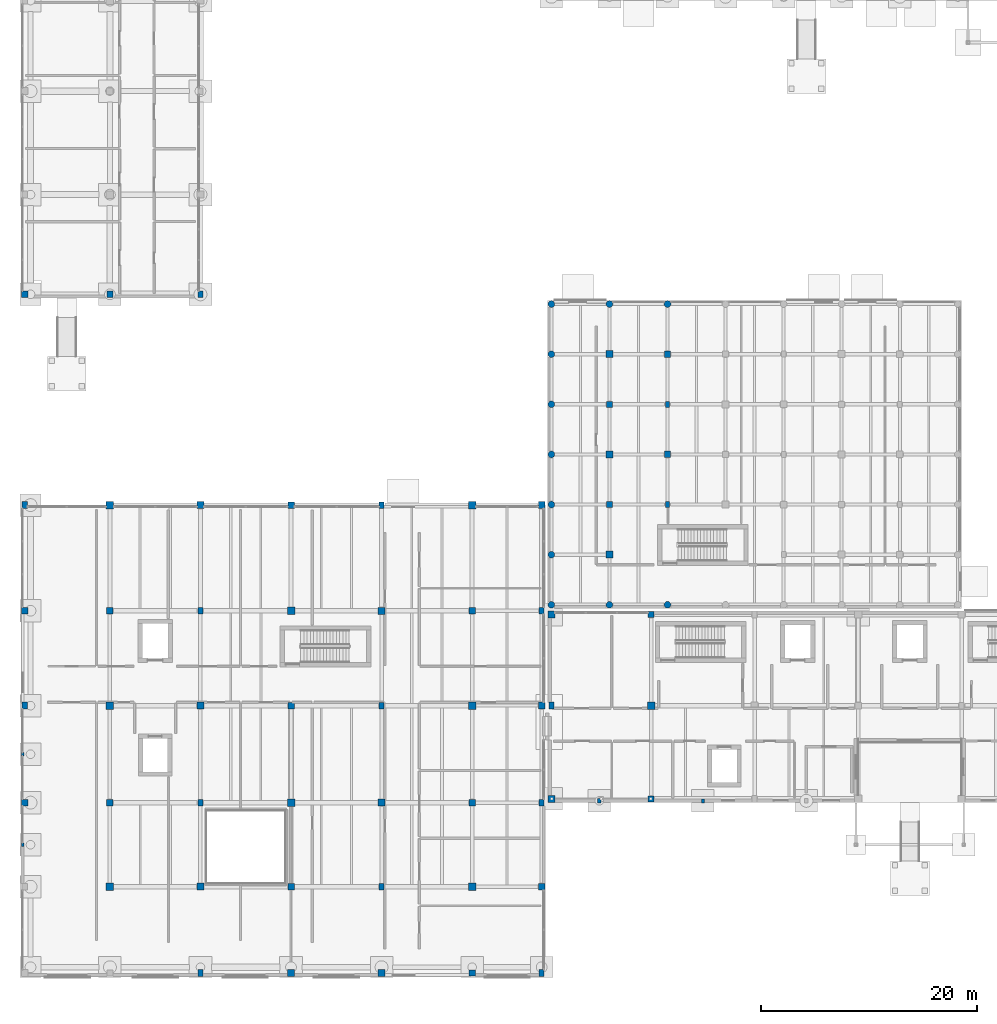
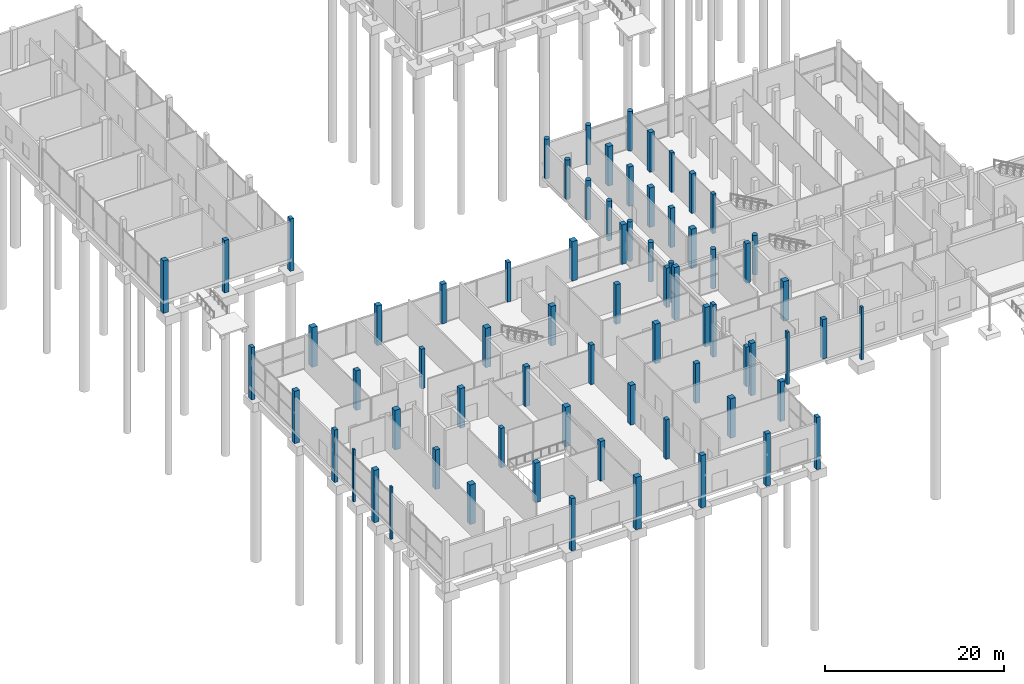
# One storey, part 6 of 88: 72 columns.
"""IFC4 building model written with IfcOpenShell, lengths in metres."""

from ifc_helpers import new_model, si_unit, direction, frame, origin, origin_2d, place, context, subcontext, project, spatial, rectangle, circle, extrude, material, material_profile, profile_set, type_object, element, save


model = new_model("IFC4")

# Units and contexts
model_context = context("Model", 3, precision=1e-05, world=origin(), true_north=direction((0.0, 1.0)))
body_context = subcontext(model_context, "Body", "Model", "MODEL_VIEW")
ifc_project = project(units=[si_unit("LENGTHUNIT", "METRE"), si_unit("AREAUNIT", "SQUARE_METRE"), si_unit("VOLUMEUNIT", "CUBIC_METRE"), si_unit("PLANEANGLEUNIT", "RADIAN"), si_unit("MASSUNIT", "GRAM", prefix="KILO")], contexts=[model_context])

# Site, building, storey
site_placement = place(None, origin())
site = spatial("IfcSite", under=ifc_project, at=site_placement, CompositionType="ELEMENT")
building_placement = place(site_placement, origin())
building = spatial("IfcBuilding", under=site, at=building_placement, Name="Birchvale Park Specialist Clinic", CompositionType="ELEMENT")
storey_placement = place(building_placement, origin())
storey = spatial("IfcBuildingStorey", under=building, at=storey_placement, Name="L00", CompositionType="ELEMENT", Elevation=0.0)

# Columns
ifc_material = material(Name="Concrete C40/50", Category="concrete")
ifc_material_profile_1 = material_profile(ifc_material, rectangle(XDim=0.679931640625, YDim=0.679931640625, at=origin_2d()), Name="RC-680x680")
ifc_profile_set_1 = profile_set([ifc_material_profile_1], Name="Concrete C40/50")
column_type_1 = type_object("IfcColumnType", Name="COL-EXT-C01", PredefinedType="COLUMN", material=ifc_profile_set_1)
column_1_placement = place(storey_placement, frame((28.0, 1.0, -1.75), z_axis=(0.0, 0.0, 1.0), x_axis=(1.0, 0.0, 0.0)))
element("IfcColumn", 1, at=column_1_placement, inside=storey, type_object=column_type_1, Name="V2 L00 column 37", PredefinedType="COLUMN", context=body_context, shape_type="SweptSolid", body=[
    extrude(rectangle(XDim=0.679931640625, YDim=0.679931640625, at=origin_2d()), origin(), (0.0, 0.0, 1.0), 7.14990234375),
])
ifc_material_profile_2 = material_profile(ifc_material, rectangle(XDim=0.6298828125, YDim=0.6298828125, at=origin_2d()), Name="RC-630x630")
ifc_profile_set_2 = profile_set([ifc_material_profile_2], Name="Concrete C40/50")
column_type_2 = type_object("IfcColumnType", Name="COL-EXT-C02", PredefinedType="COLUMN", material=ifc_profile_set_2)
for number, where, z_axis, x_axis, name in (
    (2, (3.300048828125, 16.800048828125, -1.75), (0.0, 0.0, 1.0), (1.0, 0.0, 0.0), "V2 L00 column 3"),
    (3, (3.300048828125, 34.60009765625, -1.75), (0.0, 0.0, 1.0), (1.0, 0.0, 0.0), "V2 L00 column 5"),
    (4, (3.300048828125, 63.949951171875, -1.75), (0.0, 0.0, 1.0), (1.0, 0.0, 0.0), "V2 L00 column 7"),
    (5, (36.39990234375, 1.0, -1.75), (0.0, 0.0, 1.0), (1.0, 0.0, 0.0), "V2 L00 column 43"),
):
    element("IfcColumn", number, at=place(storey_placement, frame(where, z_axis=z_axis, x_axis=x_axis)), inside=storey, type_object=column_type_2, Name=name, PredefinedType="COLUMN", context=body_context, shape_type="SweptSolid", body=[
        extrude(rectangle(XDim=0.6298828125, YDim=0.6298828125, at=origin_2d()), origin(), (0.0, 0.0, 1.0), 7.14990234375),
    ])
for number, where, z_axis, x_axis, name in (
    (6, (51.25, 9.0, 0.0), (0.0, 0.0, 1.0), (1.0, 0.0, 0.0), "V2 L00 column 56"),
    (7, (51.25, 25.800048828125, 0.0), (0.0, 0.0, 1.0), (1.0, 0.0, 0.0), "V2 L00 column 58"),
    (8, (51.25, 44.39990234375, 0.0), (0.0, 0.0, 1.0), (1.0, 0.0, 0.0), "V2 L00 column 60"),
):
    element("IfcColumn", number, at=place(storey_placement, frame(where, z_axis=z_axis, x_axis=x_axis)), inside=storey, type_object=column_type_2, Name=name, PredefinedType="COLUMN", context=body_context, shape_type="SweptSolid", body=[
        extrude(rectangle(XDim=0.6298828125, YDim=0.6298828125, at=origin_2d()), origin(), (0.0, 0.0, 1.0), 5.39990234375),
    ])
for number, where, z_axis, x_axis, name in (
    (9, (52.14990234375, 17.14990234375, -1.75), (0.0, 0.0, 1.0), (1.0, 0.0, 0.0), "V4 L00 column 1"),
    (10, (52.14990234375, 34.25, -1.75), (0.0, 0.0, 1.0), (1.0, 0.0, 0.0), "V4 L00 column 3"),
):
    element("IfcColumn", number, at=place(storey_placement, frame(where, z_axis=z_axis, x_axis=x_axis)), inside=storey, type_object=column_type_2, Name=name, PredefinedType="COLUMN", context=body_context, shape_type="SweptSolid", body=[
        extrude(rectangle(XDim=0.6298828125, YDim=0.6298828125, at=origin_2d()), origin(), (0.0, 0.0, 1.0), 7.14990234375),
    ])
ifc_material_profile_3 = material_profile(ifc_material, rectangle(XDim=0.580078125, YDim=0.580078125, at=origin_2d()), Name="RC-580x580")
ifc_profile_set_3 = profile_set([ifc_material_profile_3], Name="Concrete C40/50")
column_type_3 = type_object("IfcColumnType", Name="COL-EXT-C03", PredefinedType="COLUMN", material=ifc_profile_set_3)
for number, where, z_axis, x_axis, name in (
    (11, (11.199951171875, 63.949951171875, -1.75), (0.0, 0.0, 1.0), (1.0, 0.0, 0.0), "V2 L00 column 19"),
    (12, (44.800048828125, 1.0, -1.75), (0.0, 0.0, 1.0), (1.0, 0.0, 0.0), "V2 L00 column 49"),
):
    element("IfcColumn", number, at=place(storey_placement, frame(where, z_axis=z_axis, x_axis=x_axis)), inside=storey, type_object=column_type_3, Name=name, PredefinedType="COLUMN", context=body_context, shape_type="SweptSolid", body=[
        extrude(rectangle(XDim=0.580078125, YDim=0.580078125, at=origin_2d()), origin(), (0.0, 0.0, 1.0), 7.14990234375),
    ])
for number, where, z_axis, x_axis, name in (
    (13, (61.39990234375, 17.14990234375, 0.0), (0.0, 0.0, 1.0), (1.0, 0.0, 0.0), "V4 L00 column 4"),
    (14, (61.39990234375, 34.25, 0.0), (0.0, 0.0, 1.0), (1.0, 0.0, 0.0), "V4 L00 column 6"),
):
    element("IfcColumn", number, at=place(storey_placement, frame(where, z_axis=z_axis, x_axis=x_axis)), inside=storey, type_object=column_type_3, Name=name, PredefinedType="COLUMN", context=body_context, shape_type="SweptSolid", body=[
        extrude(rectangle(XDim=0.580078125, YDim=0.580078125, at=origin_2d()), origin(), (0.0, 0.0, 1.0), 5.39990234375),
    ])
ifc_material_profile_4 = material_profile(ifc_material, rectangle(XDim=0.469970703125, YDim=0.6298828125, at=origin_2d()), Name="RC-470x630")
ifc_profile_set_4 = profile_set([ifc_material_profile_4], Name="Concrete C40/50")
column_type_4 = type_object("IfcColumnType", Name="COL-EXT-C09", PredefinedType="COLUMN", material=ifc_profile_set_4)
for number, where, z_axis, x_axis, name in (
    (15, (3.300048828125, 25.800048828125, -1.75), (0.0, 0.0, 1.0), (1.0, 0.0, 0.0), "V2 L00 column 4"),
    (16, (3.300048828125, 44.39990234375, -1.75), (0.0, 0.0, 1.0), (1.0, 0.0, 0.0), "V2 L00 column 6"),
    (17, (19.60009765625, 1.0, -1.75), (0.0, 0.0, 1.0), (1.0, 0.0, 0.0), "V2 L00 column 25"),
    (18, (19.60009765625, 63.949951171875, -1.75), (0.0, 0.0, 1.0), (1.0, 0.0, 0.0), "V2 L00 column 31"),
    (19, (51.25, 1.0, -1.75), (0.0, 0.0, 1.0), (1.0, 0.0, 0.0), "V2 L00 column 55"),
):
    element("IfcColumn", number, at=place(storey_placement, frame(where, z_axis=z_axis, x_axis=x_axis)), inside=storey, type_object=column_type_4, Name=name, PredefinedType="COLUMN", context=body_context, shape_type="SweptSolid", body=[
        extrude(rectangle(XDim=0.469970703125, YDim=0.6298828125, at=origin_2d()), origin(), (0.0, 0.0, 1.0), 7.14990234375),
    ])
for number, where, z_axis, x_axis, name in (
    (20, (51.25, 16.800048828125, 0.0), (0.0, 0.0, 1.0), (1.0, 0.0, 0.0), "V2 L00 column 57"),
    (21, (51.25, 34.60009765625, 0.0), (0.0, 0.0, 1.0), (1.0, 0.0, 0.0), "V2 L00 column 59"),
):
    element("IfcColumn", number, at=place(storey_placement, frame(where, z_axis=z_axis, x_axis=x_axis)), inside=storey, type_object=column_type_4, Name=name, PredefinedType="COLUMN", context=body_context, shape_type="SweptSolid", body=[
        extrude(rectangle(XDim=0.469970703125, YDim=0.6298828125, at=origin_2d()), origin(), (0.0, 0.0, 1.0), 5.39990234375),
    ])
column_2_placement = place(storey_placement, frame((52.14990234375, 25.800048828125, -1.75), z_axis=(0.0, 0.0, 1.0), x_axis=(1.0, 0.0, 0.0)))
element("IfcColumn", 22, at=column_2_placement, inside=storey, type_object=column_type_4, Name="V4 L00 column 2", PredefinedType="COLUMN", context=body_context, shape_type="SweptSolid", body=[
    extrude(rectangle(XDim=0.469970703125, YDim=0.6298828125, at=origin_2d()), origin(), (0.0, 0.0, 1.0), 7.14990234375),
])
ifc_material_profile_5 = material_profile(ifc_material, circle(Radius=0.31005859375, at=origin_2d()), Name="RCC-620")
ifc_profile_set_5 = profile_set([ifc_material_profile_5], Name="Concrete C40/50")
column_type_5 = type_object("IfcColumnType", Name="COL-EXT-CC1", PredefinedType="COLUMN", material=ifc_profile_set_5)
for number, where, z_axis, x_axis, name in (
    (23, (52.14990234375, 35.14990234375, 0.0), (0.0, 0.0, 1.0), (1.0, 0.0, 0.0), "V1 L00 column 1"),
    (24, (52.14990234375, 39.800048828125, 0.0), (0.0, 0.0, 1.0), (1.0, 0.0, 0.0), "V1 L00 column 2"),
    (25, (52.14990234375, 44.449951171875, 0.0), (0.0, 0.0, 1.0), (1.0, 0.0, 0.0), "V1 L00 column 3"),
    (26, (52.14990234375, 49.10009765625, 0.0), (0.0, 0.0, 1.0), (1.0, 0.0, 0.0), "V1 L00 column 4"),
    (27, (52.14990234375, 53.75, 0.0), (0.0, 0.0, 1.0), (1.0, 0.0, 0.0), "V1 L00 column 5"),
    (28, (52.14990234375, 58.39990234375, 0.0), (0.0, 0.0, 1.0), (1.0, 0.0, 0.0), "V1 L00 column 6"),
    (29, (52.14990234375, 63.050048828125, 0.0), (0.0, 0.0, 1.0), (1.0, 0.0, 0.0), "V1 L00 column 7"),
    (30, (57.53564453125, 35.14990234375, 0.0), (0.0, 0.0, 1.0), (1.0, 0.0, 0.0), "V1 L00 column 8"),
    (31, (57.53564453125, 63.050048828125, 0.0), (0.0, 0.0, 1.0), (1.0, 0.0, 0.0), "V1 L00 column 14"),
    (32, (62.92138671875, 35.14990234375, 0.0), (0.0, 0.0, 1.0), (1.0, 0.0, 0.0), "V1 L00 column 15"),
    (33, (62.92138671875, 63.050048828125, 0.0), (0.0, 0.0, 1.0), (1.0, 0.0, 0.0), "V1 L00 column 20"),
):
    element("IfcColumn", number, at=place(storey_placement, frame(where, z_axis=z_axis, x_axis=x_axis)), inside=storey, type_object=column_type_5, Name=name, PredefinedType="COLUMN", context=body_context, shape_type="SweptSolid", body=[
        extrude(circle(Radius=0.31005859375, at=origin_2d()), origin(), (0.0, 0.0, 1.0), 5.39990234375),
    ])
ifc_material_profile_6 = material_profile(ifc_material, rectangle(XDim=0.699951171875, YDim=0.699951171875, at=origin_2d()), Name="RC-700x700")
ifc_profile_set_6 = profile_set([ifc_material_profile_6], Name="Concrete C40/50")
column_type_6 = type_object("IfcColumnType", Name="COL-INT-C01", PredefinedType="COLUMN", material=ifc_profile_set_6)
for number, where, z_axis, x_axis, name in (
    (34, (11.199951171875, 9.0, 0.0), (0.0, 0.0, 1.0), (1.0, 0.0, 0.0), "V2 L00 column 14"),
    (35, (11.199951171875, 25.800048828125, 0.0), (0.0, 0.0, 1.0), (1.0, 0.0, 0.0), "V2 L00 column 16"),
    (36, (11.199951171875, 44.39990234375, 0.0), (0.0, 0.0, 1.0), (1.0, 0.0, 0.0), "V2 L00 column 18"),
    (37, (28.0, 16.800048828125, 0.0), (0.0, 0.0, 1.0), (1.0, 0.0, 0.0), "V2 L00 column 39"),
    (38, (28.0, 34.60009765625, 0.0), (0.0, 0.0, 1.0), (1.0, 0.0, 0.0), "V2 L00 column 41"),
    (39, (44.800048828125, 9.0, 0.0), (0.0, 0.0, 1.0), (1.0, 0.0, 0.0), "V2 L00 column 50"),
    (40, (44.800048828125, 25.800048828125, 0.0), (0.0, 0.0, 1.0), (1.0, 0.0, 0.0), "V2 L00 column 52"),
    (41, (44.800048828125, 44.39990234375, 0.0), (0.0, 0.0, 1.0), (1.0, 0.0, 0.0), "V2 L00 column 54"),
    (42, (61.39990234375, 25.800048828125, 0.0), (0.0, 0.0, 1.0), (1.0, 0.0, 0.0), "V4 L00 column 5"),
):
    element("IfcColumn", number, at=place(storey_placement, frame(where, z_axis=z_axis, x_axis=x_axis)), inside=storey, type_object=column_type_6, Name=name, PredefinedType="COLUMN", context=body_context, shape_type="SweptSolid", body=[
        extrude(rectangle(XDim=0.699951171875, YDim=0.699951171875, at=origin_2d()), origin(), (0.0, 0.0, 1.0), 5.39990234375),
    ])
ifc_material_profile_7 = material_profile(ifc_material, rectangle(XDim=0.64990234375, YDim=0.64990234375, at=origin_2d()), Name="RC-650x650")
ifc_profile_set_7 = profile_set([ifc_material_profile_7], Name="Concrete C40/50")
column_type_7 = type_object("IfcColumnType", Name="COL-INT-C02", PredefinedType="COLUMN", material=ifc_profile_set_7)
for number, where, z_axis, x_axis, name in (
    (43, (57.53564453125, 39.800048828125, 0.0), (0.0, 0.0, 1.0), (1.0, 0.0, 0.0), "V1 L00 column 9"),
    (44, (57.53564453125, 49.10009765625, 0.0), (0.0, 0.0, 1.0), (1.0, 0.0, 0.0), "V1 L00 column 11"),
    (45, (57.53564453125, 58.39990234375, 0.0), (0.0, 0.0, 1.0), (1.0, 0.0, 0.0), "V1 L00 column 13"),
    (46, (19.60009765625, 9.0, 0.0), (0.0, 0.0, 1.0), (1.0, 0.0, 0.0), "V2 L00 column 26"),
    (47, (19.60009765625, 25.800048828125, 0.0), (0.0, 0.0, 1.0), (1.0, 0.0, 0.0), "V2 L00 column 28"),
    (48, (19.60009765625, 44.39990234375, 0.0), (0.0, 0.0, 1.0), (1.0, 0.0, 0.0), "V2 L00 column 30"),
    (49, (36.39990234375, 16.800048828125, 0.0), (0.0, 0.0, 1.0), (1.0, 0.0, 0.0), "V2 L00 column 45"),
    (50, (36.39990234375, 34.60009765625, 0.0), (0.0, 0.0, 1.0), (1.0, 0.0, 0.0), "V2 L00 column 47"),
):
    element("IfcColumn", number, at=place(storey_placement, frame(where, z_axis=z_axis, x_axis=x_axis)), inside=storey, type_object=column_type_7, Name=name, PredefinedType="COLUMN", context=body_context, shape_type="SweptSolid", body=[
        extrude(rectangle(XDim=0.64990234375, YDim=0.64990234375, at=origin_2d()), origin(), (0.0, 0.0, 1.0), 5.39990234375),
    ])
ifc_material_profile_8 = material_profile(ifc_material, rectangle(XDim=0.60009765625, YDim=0.60009765625, at=origin_2d()), Name="RC-600x600")
ifc_profile_set_8 = profile_set([ifc_material_profile_8], Name="Concrete C40/50")
column_type_8 = type_object("IfcColumnType", Name="COL-INT-C03", PredefinedType="COLUMN", material=ifc_profile_set_8)
for number, where, z_axis, x_axis, name in (
    (51, (62.92138671875, 49.10009765625, 0.0), (0.0, 0.0, 1.0), (1.0, 0.0, 0.0), "V1 L00 column 17"),
    (52, (62.92138671875, 58.39990234375, 0.0), (0.0, 0.0, 1.0), (1.0, 0.0, 0.0), "V1 L00 column 19"),
    (53, (11.199951171875, 16.800048828125, 0.0), (0.0, 0.0, 1.0), (1.0, 0.0, 0.0), "V2 L00 column 15"),
    (54, (11.199951171875, 34.60009765625, 0.0), (0.0, 0.0, 1.0), (1.0, 0.0, 0.0), "V2 L00 column 17"),
    (55, (28.0, 9.0, 0.0), (0.0, 0.0, 1.0), (1.0, 0.0, 0.0), "V2 L00 column 38"),
    (56, (28.0, 25.800048828125, 0.0), (0.0, 0.0, 1.0), (1.0, 0.0, 0.0), "V2 L00 column 40"),
    (57, (28.0, 44.39990234375, 0.0), (0.0, 0.0, 1.0), (1.0, 0.0, 0.0), "V2 L00 column 42"),
    (58, (44.800048828125, 16.800048828125, 0.0), (0.0, 0.0, 1.0), (1.0, 0.0, 0.0), "V2 L00 column 51"),
    (59, (44.800048828125, 34.60009765625, 0.0), (0.0, 0.0, 1.0), (1.0, 0.0, 0.0), "V2 L00 column 53"),
):
    element("IfcColumn", number, at=place(storey_placement, frame(where, z_axis=z_axis, x_axis=x_axis)), inside=storey, type_object=column_type_8, Name=name, PredefinedType="COLUMN", context=body_context, shape_type="SweptSolid", body=[
        extrude(rectangle(XDim=0.60009765625, YDim=0.60009765625, at=origin_2d()), origin(), (0.0, 0.0, 1.0), 5.39990234375),
    ])
ifc_material_profile_9 = material_profile(ifc_material, rectangle(XDim=0.550048828125, YDim=0.550048828125, at=origin_2d()), Name="RC-550x550")
ifc_profile_set_9 = profile_set([ifc_material_profile_9], Name="Concrete C40/50")
column_type_9 = type_object("IfcColumnType", Name="COL-INT-C04", PredefinedType="COLUMN", material=ifc_profile_set_9)
for number, where, z_axis, x_axis, name in (
    (60, (57.53564453125, 44.449951171875, 0.0), (0.0, 0.0, 1.0), (1.0, 0.0, 0.0), "V1 L00 column 10"),
    (61, (57.53564453125, 53.75, 0.0), (0.0, 0.0, 1.0), (1.0, 0.0, 0.0), "V1 L00 column 12"),
):
    element("IfcColumn", number, at=place(storey_placement, frame(where, z_axis=z_axis, x_axis=x_axis)), inside=storey, type_object=column_type_9, Name=name, PredefinedType="COLUMN", context=body_context, shape_type="SweptSolid", body=[
        extrude(rectangle(XDim=0.550048828125, YDim=0.550048828125, at=origin_2d()), origin(), (0.0, 0.0, 1.0), 5.39990234375),
    ])
ifc_material_profile_10 = material_profile(ifc_material, rectangle(XDim=0.449951171875, YDim=0.60009765625, at=origin_2d()), Name="RC-450x600")
ifc_profile_set_10 = profile_set([ifc_material_profile_10], Name="Concrete C40/50")
column_type_10 = type_object("IfcColumnType", Name="COL-INT-C09", PredefinedType="COLUMN", material=ifc_profile_set_10)
for number, where, z_axis, x_axis, name in (
    (62, (19.60009765625, 16.800048828125, 0.0), (0.0, 0.0, 1.0), (1.0, 0.0, 0.0), "V2 L00 column 27"),
    (63, (19.60009765625, 34.60009765625, 0.0), (0.0, 0.0, 1.0), (1.0, 0.0, 0.0), "V2 L00 column 29"),
    (64, (36.39990234375, 9.0, 0.0), (0.0, 0.0, 1.0), (1.0, 0.0, 0.0), "V2 L00 column 44"),
    (65, (36.39990234375, 25.800048828125, 0.0), (0.0, 0.0, 1.0), (1.0, 0.0, 0.0), "V2 L00 column 46"),
    (66, (36.39990234375, 44.39990234375, 0.0), (0.0, 0.0, 1.0), (1.0, 0.0, 0.0), "V2 L00 column 48"),
):
    element("IfcColumn", number, at=place(storey_placement, frame(where, z_axis=z_axis, x_axis=x_axis)), inside=storey, type_object=column_type_10, Name=name, PredefinedType="COLUMN", context=body_context, shape_type="SweptSolid", body=[
        extrude(rectangle(XDim=0.449951171875, YDim=0.60009765625, at=origin_2d()), origin(), (0.0, 0.0, 1.0), 5.39990234375),
    ])
ifc_material_profile_11 = material_profile(ifc_material, rectangle(XDim=0.39990234375, YDim=0.550048828125, at=origin_2d()), Name="RC-400x550")
ifc_profile_set_11 = profile_set([ifc_material_profile_11], Name="Concrete C40/50")
column_type_11 = type_object("IfcColumnType", Name="COL-INT-C10", PredefinedType="COLUMN", material=ifc_profile_set_11)
for number, where, z_axis, x_axis, name in (
    (67, (62.92138671875, 44.449951171875, 0.0), (0.0, 0.0, 1.0), (1.0, 0.0, 0.0), "V1 L00 column 16"),
    (68, (62.92138671875, 53.75, 0.0), (0.0, 0.0, 1.0), (1.0, 0.0, 0.0), "V1 L00 column 18"),
):
    element("IfcColumn", number, at=place(storey_placement, frame(where, z_axis=z_axis, x_axis=x_axis)), inside=storey, type_object=column_type_11, Name=name, PredefinedType="COLUMN", context=body_context, shape_type="SweptSolid", body=[
        extrude(rectangle(XDim=0.39990234375, YDim=0.550048828125, at=origin_2d()), origin(), (0.0, 0.0, 1.0), 5.39990234375),
    ])
ifc_material_profile_12 = material_profile(ifc_material, rectangle(XDim=0.320068359375, YDim=0.43994140625, at=origin_2d()), Name="PIL-320x440")
ifc_profile_set_12 = profile_set([ifc_material_profile_12], Name="Concrete C40/50")
column_type_12 = type_object("IfcColumnType", Name="PIL-PL1", PredefinedType="PILASTER", material=ifc_profile_set_12)
column_3_placement = place(storey_placement, frame((56.60009765625, 16.969970703125, -1.75), z_axis=(0.0, 0.0, 1.0), x_axis=(1.0, 0.0, 0.0)))
element("IfcColumn", 69, at=column_3_placement, inside=storey, type_object=column_type_12, Name="V4 L00 facade pilaster 1", PredefinedType="PILASTER", context=body_context, shape_type="SweptSolid", body=[
    extrude(rectangle(XDim=0.320068359375, YDim=0.43994140625, at=origin_2d()), origin(), (0.0, 0.0, 1.0), 7.14990234375),
])
ifc_material_profile_13 = material_profile(ifc_material, rectangle(XDim=0.280029296875, YDim=0.3798828125, at=origin_2d()), Name="PIL-280x380")
ifc_profile_set_13 = profile_set([ifc_material_profile_13], Name="Concrete C40/50")
column_type_13 = type_object("IfcColumnType", Name="PIL-PL2", PredefinedType="PILASTER", material=ifc_profile_set_13)
column_4_placement = place(storey_placement, frame((66.199951171875, 16.969970703125, -1.75), z_axis=(0.0, 0.0, 1.0), x_axis=(1.0, 0.0, 0.0)))
element("IfcColumn", 70, at=column_4_placement, inside=storey, type_object=column_type_13, Name="V4 L00 facade pilaster 4", PredefinedType="PILASTER", context=body_context, shape_type="SweptSolid", body=[
    extrude(rectangle(XDim=0.280029296875, YDim=0.3798828125, at=origin_2d()), origin(), (0.0, 0.0, 1.0), 7.14990234375),
])
ifc_material_profile_14 = material_profile(ifc_material, rectangle(XDim=0.25, YDim=0.340087890625, at=origin_2d()), Name="PIL-250x340")
ifc_profile_set_14 = profile_set([ifc_material_profile_14], Name="Concrete C40/50")
column_type_14 = type_object("IfcColumnType", Name="PIL-PL3", PredefinedType="PILASTER", material=ifc_profile_set_14)
column_5_placement = place(storey_placement, frame((3.1201171875, 12.89990234375, -1.75), z_axis=(0.0, 0.0, 1.0), x_axis=(1.0, 0.0, 0.0)))
element("IfcColumn", 71, at=column_5_placement, inside=storey, type_object=column_type_14, Name="V2 L00 facade pilaster 25", PredefinedType="PILASTER", context=body_context, shape_type="SweptSolid", body=[
    extrude(rectangle(XDim=0.25, YDim=0.340087890625, at=origin_2d()), origin(), (0.0, 0.0, 1.0), 7.14990234375),
])
ifc_material_profile_15 = material_profile(ifc_material, rectangle(XDim=0.239990234375, YDim=0.320068359375, at=origin_2d()), Name="PIL-240x320")
ifc_profile_set_15 = profile_set([ifc_material_profile_15], Name="Concrete C40/50")
column_type_15 = type_object("IfcColumnType", Name="PIL-PL4", PredefinedType="PILASTER", material=ifc_profile_set_15)
column_6_placement = place(storey_placement, frame((3.1201171875, 21.300048828125, -1.75), z_axis=(0.0, 0.0, 1.0), x_axis=(1.0, 0.0, 0.0)))
element("IfcColumn", 72, at=column_6_placement, inside=storey, type_object=column_type_15, Name="V2 L00 facade pilaster 26", PredefinedType="PILASTER", context=body_context, shape_type="SweptSolid", body=[
    extrude(rectangle(XDim=0.239990234375, YDim=0.320068359375, at=origin_2d()), origin(), (0.0, 0.0, 1.0), 7.14990234375),
])

save(model, "model.ifc")
